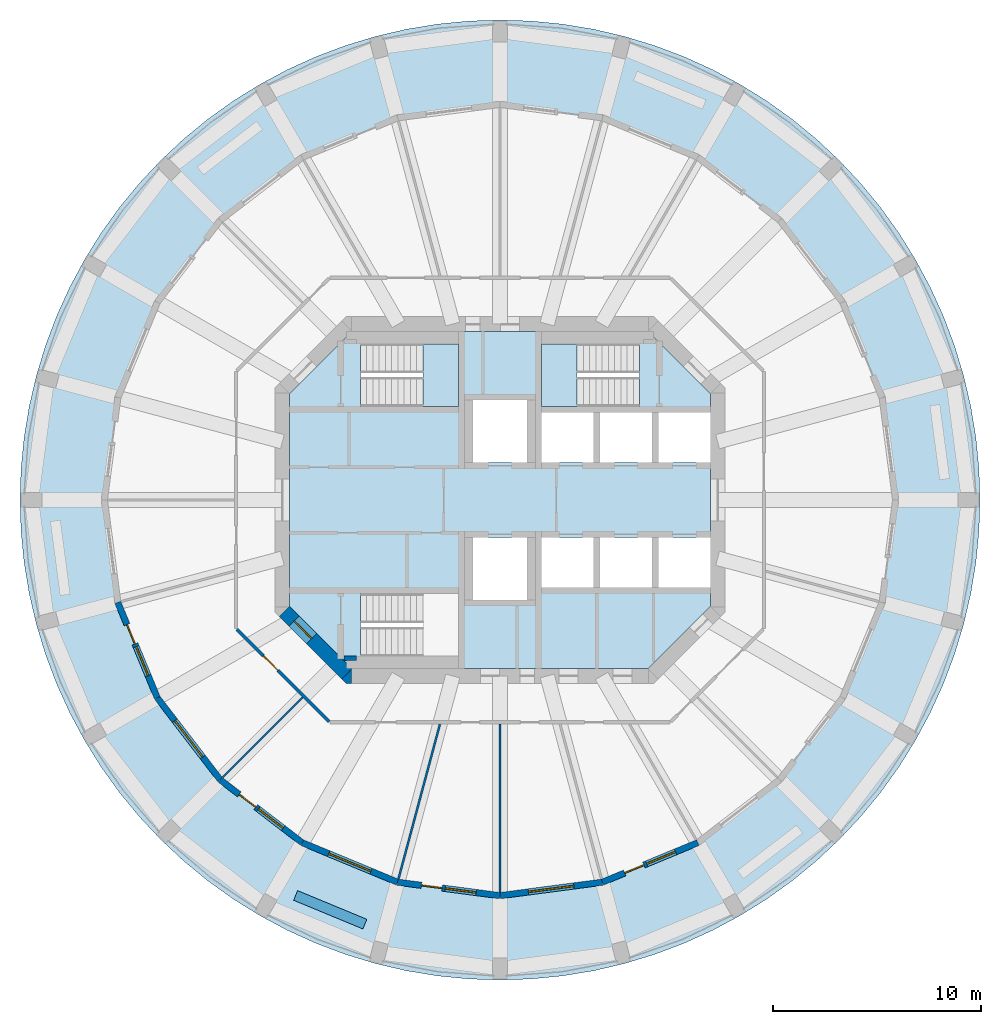
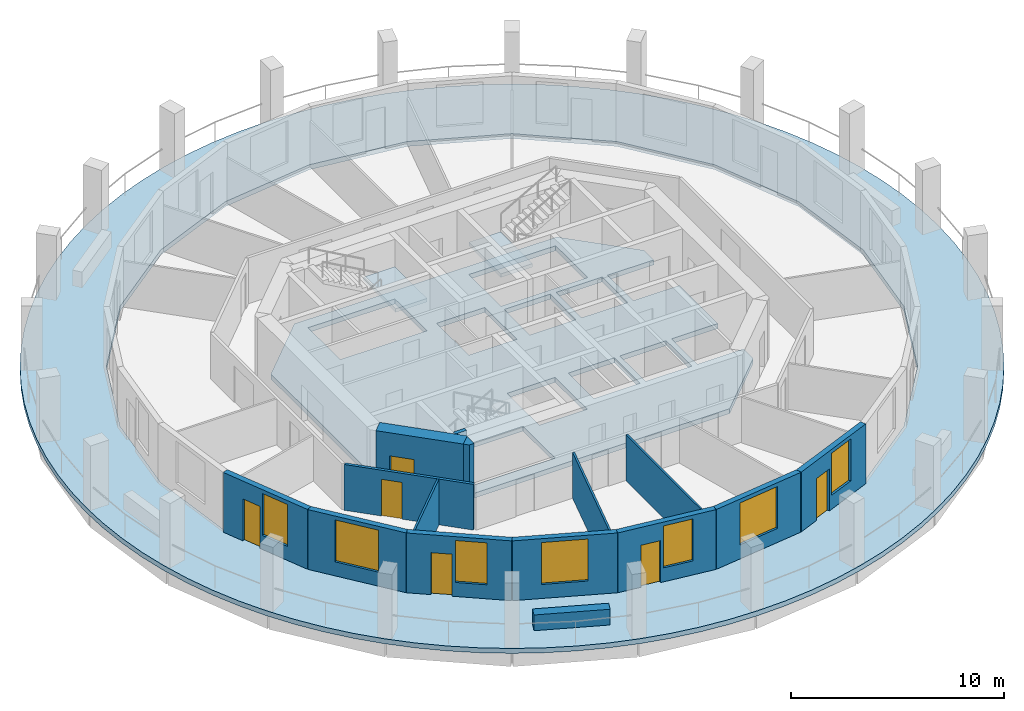
# One storey, part 2 of 9: 15 walls, 7 windows, 6 doors, 4 slabs, 13 openings, 2 elements without a shape of their own.
"""IFC4 building model written with IfcOpenShell, lengths in metres."""

from ifc_helpers import new_model, si_unit, direction, frame, frame_2d, origin, place, context, subcontext, project, spatial, polyline, rectangle, outline, extrude, material, layer, layer_set, type_object, element, fill, aggregate, save


model = new_model("IFC4")

# Units and contexts
model_context = context("Model", 3, precision=1e-05, world=origin(), true_north=direction((0.0, 1.0)))
body_context = subcontext(model_context, "Body", "Model", "MODEL_VIEW")
ifc_project = project(units=[si_unit("LENGTHUNIT", "METRE"), si_unit("AREAUNIT", "SQUARE_METRE"), si_unit("VOLUMEUNIT", "CUBIC_METRE"), si_unit("PLANEANGLEUNIT", "RADIAN"), si_unit("MASSUNIT", "GRAM", prefix="KILO")], contexts=[model_context])

# Site, building, storey
site_placement = place(None, origin())
site = spatial("IfcSite", under=ifc_project, at=site_placement, CompositionType="ELEMENT")
building_placement = place(site_placement, origin())
building = spatial("IfcBuilding", under=site, at=building_placement, Name="Torre Triforio", CompositionType="ELEMENT")
storey_placement = place(building_placement, frame((0.0, 0.0, 180.10009765625)))
storey = spatial("IfcBuildingStorey", under=building, at=storey_placement, Name="L41", CompositionType="ELEMENT", Elevation=180.10009765625)

# Slabs
ifc_material_1 = material(Name="Concrete C50", Category="concrete")
ifc_layer_1 = layer(ifc_material_1, 0.280029296875)
ifc_layer_set_1 = layer_set([ifc_layer_1], Name="Concrete C50")
slab_type_1 = type_object("IfcSlabType", Name="Core floor slab 280 mm C50 REI 120", PredefinedType="FLOOR", material=ifc_layer_set_1)
slab_1_placement = place(storey_placement, frame((0.0, 0.0, -0.280029296875)))
element("IfcSlab", 1, at=slab_1_placement, inside=storey, type_object=slab_type_1, Name="Core floor slab", PredefinedType="FLOOR", context=body_context, shape_type="SweptSolid", body=[
    extrude(outline(polyline([(10.10009765625, -5.10009765625), (7.10009765625, -8.10009765625), (-7.10009765625, -8.10009765625), (-10.10009765625, -5.10009765625), (-10.10009765625, 5.10009765625), (-7.10009765625, 8.10009765625), (7.10009765625, 8.10009765625), (10.10009765625, 5.10009765625), (10.10009765625, 4.199951171875), (7.60009765625, 4.199951171875), (7.60009765625, 1.800048828125), (10.10009765625, 1.800048828125), (10.10009765625, -1.800048828125), (7.60009765625, -1.800048828125), (7.60009765625, -4.199951171875), (10.10009765625, -4.199951171875), (10.10009765625, -5.10009765625)]), holes=[polyline([(-6.696044921875, -4.5), (-6.696044921875, -7.5), (-2.0, -7.5), (-2.0, -4.5), (-6.696044921875, -4.5)]), polyline([(-1.300048828125, -1.800048828125), (-1.300048828125, -4.800048828125), (1.300048828125, -4.800048828125), (1.300048828125, -1.800048828125), (-1.300048828125, -1.800048828125)]), polyline([(2.0, -1.800048828125), (2.0, -4.199951171875), (4.5, -4.199951171875), (4.5, -1.800048828125), (2.0, -1.800048828125)]), polyline([(4.5, 4.199951171875), (2.0, 4.199951171875), (2.0, 1.800048828125), (4.5, 1.800048828125), (4.5, 4.199951171875)]), polyline([(1.300048828125, 4.800048828125), (-1.300048828125, 4.800048828125), (-1.300048828125, 1.800048828125), (1.300048828125, 1.800048828125), (1.300048828125, 4.800048828125)]), polyline([(-6.696044921875, 7.5), (-6.696044921875, 4.5), (-2.0, 4.5), (-2.0, 7.5), (-6.696044921875, 7.5)]), polyline([(7.300048828125, -1.800048828125), (4.800048828125, -1.800048828125), (4.800048828125, -4.199951171875), (7.300048828125, -4.199951171875), (7.300048828125, -1.800048828125)]), polyline([(4.800048828125, 4.199951171875), (4.800048828125, 1.800048828125), (7.300048828125, 1.800048828125), (7.300048828125, 4.199951171875), (4.800048828125, 4.199951171875)]), polyline([(6.696044921875, 7.5), (2.0, 7.5), (2.0, 4.5), (6.696044921875, 4.5), (6.696044921875, 7.5)])]), origin(), (0.0, 0.0, 1.0), 0.280029296875),
])
ifc_material_2 = material(Name="Concrete C40", Category="concrete")
ifc_layer_2 = layer(ifc_material_2, 0.280029296875)
ifc_layer_set_2 = layer_set([ifc_layer_2], Name="Concrete C40")
slab_type_2 = type_object("IfcSlabType", Name="Loggia slab 280 C40", PredefinedType="FLOOR", material=ifc_layer_set_2)
slab_2_placement = place(storey_placement, frame((0.0, 0.0, -0.280029296875)))
element("IfcSlab", 2, at=slab_2_placement, inside=storey, type_object=slab_type_2, Name="SL.L41.LG", PredefinedType="FLOOR", context=body_context, shape_type="SweptSolid", body=[
    extrude(outline(polyline([(23.000732421875, -1.507568359375), (23.050048828125, 0.0), (23.000732421875, 1.507568359375), (22.852783203125, 3.008544921875), (22.607177734375, 4.496826171875), (22.2646484375, 5.9658203125), (21.82666015625, 7.4091796875), (21.29541015625, 8.82080078125), (20.6728515625, 10.19482421875), (19.9619140625, 11.52490234375), (19.165283203125, 12.805908203125), (18.286865234375, 14.031982421875), (17.329833984375, 15.197998046875), (16.298828125, 16.298828125), (15.197998046875, 17.329833984375), (14.031982421875, 18.286865234375), (12.805908203125, 19.165283203125), (11.52490234375, 19.9619140625), (10.19482421875, 20.6728515625), (8.82080078125, 21.29541015625), (7.4091796875, 21.82666015625), (5.9658203125, 22.2646484375), (4.496826171875, 22.607177734375), (3.008544921875, 22.852783203125), (1.507568359375, 23.000732421875), (0.0, 23.050048828125), (-1.507568359375, 23.000732421875), (-3.008544921875, 22.852783203125), (-4.496826171875, 22.607177734375), (-5.9658203125, 22.2646484375), (-7.4091796875, 21.82666015625), (-8.82080078125, 21.29541015625), (-10.19482421875, 20.6728515625), (-11.52490234375, 19.9619140625), (-12.805908203125, 19.165283203125), (-14.031982421875, 18.286865234375), (-15.197998046875, 17.329833984375), (-16.298828125, 16.298828125), (-17.329833984375, 15.197998046875), (-18.286865234375, 14.031982421875), (-19.165283203125, 12.805908203125), (-19.9619140625, 11.52490234375), (-20.6728515625, 10.19482421875), (-21.29541015625, 8.82080078125), (-21.82666015625, 7.4091796875), (-22.2646484375, 5.9658203125), (-22.607177734375, 4.496826171875), (-22.852783203125, 3.008544921875), (-23.000732421875, 1.507568359375), (-23.050048828125, 0.0), (-23.000732421875, -1.507568359375), (-22.852783203125, -3.008544921875), (-22.607177734375, -4.496826171875), (-22.2646484375, -5.9658203125), (-21.82666015625, -7.4091796875), (-21.29541015625, -8.82080078125), (-20.6728515625, -10.19482421875), (-19.9619140625, -11.52490234375), (-19.165283203125, -12.805908203125), (-18.286865234375, -14.031982421875), (-17.329833984375, -15.197998046875), (-16.298828125, -16.298828125), (-15.197998046875, -17.329833984375), (-14.031982421875, -18.286865234375), (-12.805908203125, -19.165283203125), (-11.52490234375, -19.9619140625), (-10.19482421875, -20.6728515625), (-8.82080078125, -21.29541015625), (-7.4091796875, -21.82666015625), (-5.9658203125, -22.2646484375), (-4.496826171875, -22.607177734375), (-3.008544921875, -22.852783203125), (-1.507568359375, -23.000732421875), (0.0, -23.050048828125), (1.507568359375, -23.000732421875), (3.008544921875, -22.852783203125), (4.496826171875, -22.607177734375), (5.9658203125, -22.2646484375), (7.4091796875, -21.82666015625), (8.82080078125, -21.29541015625), (10.19482421875, -20.6728515625), (11.52490234375, -19.9619140625), (12.805908203125, -19.165283203125), (14.031982421875, -18.286865234375), (15.197998046875, -17.329833984375), (16.298828125, -16.298828125), (17.329833984375, -15.197998046875), (18.286865234375, -14.031982421875), (19.165283203125, -12.805908203125), (19.9619140625, -11.52490234375), (20.6728515625, -10.19482421875), (21.29541015625, -8.82080078125), (21.82666015625, -7.4091796875), (22.2646484375, -5.9658203125), (22.607177734375, -4.496826171875), (22.852783203125, -3.008544921875), (23.000732421875, -1.507568359375)]), holes=[polyline([(18.3525390625, 4.91748046875), (19.0, 0.0), (18.3525390625, -4.91748046875), (16.45458984375, -9.5), (13.43505859375, -13.43505859375), (9.5, -16.45458984375), (4.91748046875, -18.3525390625), (0.0, -19.0), (-4.91748046875, -18.3525390625), (-9.5, -16.45458984375), (-13.43505859375, -13.43505859375), (-16.45458984375, -9.5), (-18.3525390625, -4.91748046875), (-19.0, 0.0), (-18.3525390625, 4.91748046875), (-16.45458984375, 9.5), (-13.43505859375, 13.43505859375), (-9.5, 16.45458984375), (-4.91748046875, 18.3525390625), (0.0, 19.0), (4.91748046875, 18.3525390625), (9.5, 16.45458984375), (13.43505859375, 13.43505859375), (16.45458984375, 9.5), (18.3525390625, 4.91748046875)])]), origin(), (0.0, 0.0, 1.0), 0.280029296875),
])

# Stair, slab
stair_type = type_object("IfcStairType", Name="STAIR HALF-TURN", PredefinedType="HALF_TURN_STAIR", material=ifc_material_2)
stair_1_placement = place(storey_placement, origin())
stair_1 = element("IfcStair", 3, at=stair_1_placement, inside=storey, type_object=stair_type, Name="Exit stair 1", PredefinedType="HALF_TURN_STAIR")
ifc_layer_3 = layer(ifc_material_2, 0.199951171875)
ifc_layer_set_3 = layer_set([ifc_layer_3], Name="Concrete C40")
slab_type_3 = type_object("IfcSlabType", Name="STAIR LANDING 200", PredefinedType="LANDING", material=ifc_layer_set_3)
slab_3_placement = place(storey_placement, frame((0.0, 0.0, 1.64990234375)))
slab_3 = element("IfcSlab", 4, at=slab_3_placement, type_object=slab_type_3, Name="ST1 landing 1", PredefinedType="LANDING", context=body_context, shape_type="SweptSolid", body=[
    extrude(outline(polyline([(-2.0, 4.5), (-2.0, 7.5), (-3.699951171875, 7.5), (-3.699951171875, 4.5), (-2.0, 4.5)])), origin(), (0.0, 0.0, 1.0), 0.199951171875),
])
aggregate(stair_1, [slab_3])

stair_2_placement = place(storey_placement, origin())
stair_2 = element("IfcStair", 5, at=stair_2_placement, inside=storey, type_object=stair_type, Name="Exit stair 2", PredefinedType="HALF_TURN_STAIR")
slab_4_placement = place(storey_placement, frame((0.0, 0.0, 1.64990234375)))
slab_4 = element("IfcSlab", 6, at=slab_4_placement, type_object=slab_type_3, Name="ST2 landing 1", PredefinedType="LANDING", context=body_context, shape_type="SweptSolid", body=[
    extrude(outline(polyline([(3.699951171875, 4.5), (3.699951171875, 7.5), (2.0, 7.5), (2.0, 4.5), (3.699951171875, 4.5)])), origin(), (0.0, 0.0, 1.0), 0.199951171875),
])
aggregate(stair_2, [slab_4])

# Wall, opening, door
ifc_layer_4 = layer(ifc_material_1, 0.699951171875)
ifc_layer_set_4 = layer_set([ifc_layer_4], Name="Concrete C50")
wall_type_1 = type_object("IfcWallType", Name="Core wall 700 mm C50 EI 120", PredefinedType="SHEAR", material=ifc_layer_set_4)
wall_1_placement = place(storey_placement, frame((-7.347412109375, -8.347412109375, -0.280029296875), z_axis=(0.0, 0.0, 1.0), x_axis=(-0.707106781187, 0.707106781187, 0.0)))
wall_1 = element("IfcWall", 7, at=wall_1_placement, inside=storey, type_object=wall_type_1, Name="Core wall", PredefinedType="SHEAR", context=body_context, shape_type="SweptSolid", body=[
    extrude(rectangle(XDim=4.24267578125, YDim=0.699951171875, at=frame_2d((2.121337890625, 0.0))), origin(), (0.0, 0.0, 1.0), 3.699951171875),
])
opening_1_placement = place(wall_1_placement, frame((2.392578125, 0.0, 0.280029296875)))
opening_1 = element("IfcOpeningElement", 8, at=opening_1_placement, cuts=wall_1, Name="Opening ST3-EXIT", PredefinedType="OPENING", context=body_context, shape_type="SweptSolid", body=[
    extrude(rectangle(XDim=1.199951171875, YDim=2.10009765625, at=frame_2d((0.60009765625, 1.050048828125))), frame((0.0, 0.35986328125, 0.0), z_axis=(0.0, -1.0, 0.0), x_axis=(1.0, 0.0, 0.0)), (0.0, 0.0, 1.0), 0.719970703125),
])
ifc_material_3 = material(Name="Hollow metal fire door leaf")
door_type_1 = type_object("IfcDoorType", Name="Stair lobby door 1200 x 2100 EI 60", OperationType="NOTDEFINED", PredefinedType="DOOR", material=ifc_material_3)
door_1_placement = place(opening_1_placement, origin())
door_1 = element("IfcDoor", 9, at=door_1_placement, inside=storey, type_object=door_type_1, Name="Core door ST3-EXIT", OperationType="SINGLE_SWING_RIGHT", OverallHeight=2.10009765625, OverallWidth=1.199951171875, PredefinedType="DOOR", context=body_context, shape_type="SweptSolid", body=[
    extrude(rectangle(XDim=1.199951171875, YDim=2.10009765625, at=frame_2d((0.60009765625, 1.050048828125))), frame((0.0, 0.02490234375, 0.0), z_axis=(0.0, -1.0, 0.0), x_axis=(1.0, 0.0, 0.0)), (0.0, 0.0, 1.0), 0.050048828125),
])
fill(opening_1, door_1)

# Wall
wall_2_placement = place(storey_placement, frame((0.0, 0.0, -0.280029296875)))
element("IfcWall", 10, at=wall_2_placement, inside=storey, type_object=wall_type_1, Name="Core wall", PredefinedType="SHEAR", context=body_context, shape_type="SweptSolid", body=[
    extrude(outline(polyline([(-7.389892578125, -8.800048828125), (-7.594970703125, -8.594970703125), (-7.594970703125, -8.594970703125), (-7.594970703125, -8.594970703125), (-7.1298828125, -8.1298828125), (-7.1298828125, -8.800048828125), (-7.1298828125, -8.800048828125), (-7.389892578125, -8.800048828125)])), origin(), (0.0, 0.0, 1.0), 3.699951171875),
])

# Wall, opening, door
ifc_material_4 = material(Name="Plasterboard on metal studs")
ifc_layer_5 = layer(ifc_material_4, 0.14990234375)
ifc_layer_set_5 = layer_set([ifc_layer_5], Name="Plasterboard on metal studs")
wall_type_2 = type_object("IfcWallType", Name="Corridor and tenancy wall 150 mm EI 60", PredefinedType="PARTITIONING", material=ifc_layer_set_5)
wall_3_placement = place(storey_placement, frame((-8.20361328125, -10.637939453125, 0.0), z_axis=(0.0, 0.0, 1.0), x_axis=(-0.707106781187, 0.707106781187, 0.0)))
wall_3 = element("IfcWall", 11, at=wall_3_placement, inside=storey, type_object=wall_type_2, Name="Partition 3", PredefinedType="PARTITIONING", context=body_context, shape_type="SweptSolid", body=[
    extrude(rectangle(XDim=6.27099609375, YDim=0.14990234375, at=frame_2d((3.135498046875, 0.0))), origin(), (0.0, 0.0, 1.0), 2.619873046875),
])
opening_2_placement = place(wall_3_placement, frame((3.470947265625, 0.0, 0.0)))
opening_2 = element("IfcOpeningElement", 12, at=opening_2_placement, cuts=wall_3, Name="Opening O3-03", PredefinedType="OPENING", context=body_context, shape_type="SweptSolid", body=[
    extrude(rectangle(XDim=1.0, YDim=2.10009765625, at=frame_2d((0.5, 1.050048828125))), frame((0.0, 0.0849609375, 0.0), z_axis=(0.0, -1.0, 0.0), x_axis=(1.0, 0.0, 0.0)), (0.0, 0.0, 1.0), 0.169921875),
])
ifc_material_5 = material(Name="Timber", Category="wood")
door_type_2 = type_object("IfcDoorType", Name="Door 1000 x 2100 single leaf EI 30", OperationType="NOTDEFINED", PredefinedType="DOOR", material=ifc_material_5)
door_2_placement = place(opening_2_placement, origin())
door_2 = element("IfcDoor", 13, at=door_2_placement, inside=storey, type_object=door_type_2, Name="Door O3-03", OperationType="SINGLE_SWING_RIGHT", OverallHeight=2.10009765625, OverallWidth=1.0, PredefinedType="DOOR", context=body_context, shape_type="SweptSolid", body=[
    extrude(rectangle(XDim=1.0, YDim=2.10009765625, at=frame_2d((0.5, 1.050048828125))), frame((0.0, 0.02490234375, 0.0), z_axis=(0.0, -1.0, 0.0), x_axis=(1.0, 0.0, 0.0)), (0.0, 0.0, 1.0), 0.050048828125),
])
fill(opening_2, door_2)

# Walls
ifc_layer_6 = layer(ifc_material_4, 0.10009765625)
ifc_layer_set_6 = layer_set([ifc_layer_6], Name="Plasterboard on metal studs")
wall_type_3 = type_object("IfcWallType", Name="Partition 100 mm board on metal studs", PredefinedType="PARTITIONING", material=ifc_layer_set_6)
wall_4_placement = place(storey_placement, frame((-9.473876953125, -9.473876953125, 0.0), z_axis=(0.0, 0.0, 1.0), x_axis=(-0.707106781187, -0.707106781187, 0.0)))
element("IfcWall", 14, at=wall_4_placement, inside=storey, type_object=wall_type_3, Name="Partition 17", PredefinedType="PARTITIONING", context=body_context, shape_type="SweptSolid", body=[
    extrude(rectangle(XDim=5.438720703125, YDim=0.10009765625, at=frame_2d((2.71923828125, 0.0))), origin(), (0.0, 0.0, 1.0), 2.619873046875),
])
wall_5_placement = place(storey_placement, frame((-2.88427734375, -10.764404296875, 0.0), z_axis=(0.0, 0.0, 1.0), x_axis=(-0.25881804804, -0.965926093451, 0.0)))
element("IfcWall", 15, at=wall_5_placement, inside=storey, type_object=wall_type_3, Name="Partition 18", PredefinedType="PARTITIONING", context=body_context, shape_type="SweptSolid", body=[
    extrude(rectangle(XDim=7.692626953125, YDim=0.10009765625, at=frame_2d((3.84619140625, 0.0))), origin(), (0.0, 0.0, 1.0), 2.619873046875),
])
wall_6_placement = place(storey_placement, frame((0.0, -10.75, 0.0), z_axis=(0.0, 0.0, 1.0), x_axis=(0.0, -1.0, 0.0)))
element("IfcWall", 16, at=wall_6_placement, inside=storey, type_object=wall_type_3, Name="Partition 19", PredefinedType="PARTITIONING", context=body_context, shape_type="SweptSolid", body=[
    extrude(rectangle(XDim=8.086669921875, YDim=0.10009765625, at=frame_2d((4.04345703125, 0.0))), origin(), (0.0, 0.0, 1.0), 2.619873046875),
])
ifc_material_6 = material(Name="Limestone cladding", Category="masonry")
ifc_layer_7 = layer(ifc_material_6, 0.10009765625)
ifc_layer_8 = layer(ifc_material_2, 0.39990234375)
ifc_layer_set_7 = layer_set([ifc_layer_7, ifc_layer_8], Name="Limestone cladding / Concrete C40")
wall_type_4 = type_object("IfcWallType", Name="Planter wall 500", PredefinedType="PARAPET", material=ifc_layer_set_7)
wall_7_placement = place(storey_placement, frame((-9.814208984375, -18.98974609375, 0.0), z_axis=(0.0, 0.0, 1.0), x_axis=(0.923875488976, -0.382693194178, 0.0)))
element("IfcWall", 17, at=wall_7_placement, inside=storey, type_object=wall_type_4, Name="Planter L41 bay 17", PredefinedType="PARAPET", context=body_context, shape_type="SweptSolid", body=[
    extrude(rectangle(XDim=3.599853515625, YDim=0.5, at=frame_2d((1.7998046875, 0.0))), origin(), (0.0, 0.0, 1.0), 0.89990234375),
])
ifc_layer_9 = layer(ifc_material_1, 0.199951171875)
ifc_layer_set_8 = layer_set([ifc_layer_9], Name="Concrete C50")
wall_type_5 = type_object("IfcWallType", Name="Stair wall 200 mm C50 EI 120", PredefinedType="SHEAR", material=ifc_layer_set_8)
wall_8_placement = place(storey_placement, frame((-7.5, -7.60009765625, 0.0), z_axis=(0.0, 0.0, 1.0), x_axis=(1.0, 0.0, 0.0)))
element("IfcWall", 18, at=wall_8_placement, inside=storey, type_object=wall_type_5, Name="Stair wall", PredefinedType="SHEAR", context=body_context, shape_type="SweptSolid", body=[
    extrude(rectangle(XDim=0.60009765625, YDim=0.199951171875, at=frame_2d((0.300048828125, 0.0))), origin(), (0.0, 0.0, 1.0), 3.419921875),
])

# Wall, openings, door, window
ifc_layer_10 = layer(ifc_material_6, 0.10009765625)
ifc_layer_11 = layer(ifc_material_2, 0.199951171875)
ifc_layer_set_9 = layer_set([ifc_layer_10, ifc_layer_11], Name="Limestone cladding / Concrete C40")
wall_type_6 = type_object("IfcWallType", Name="Stone-faced composite wall 300", PredefinedType="STANDARD", material=ifc_layer_set_9)
wall_9_placement = place(storey_placement, frame((-18.3525390625, -4.91748046875, 0.0), z_axis=(0.0, 0.0, 1.0), x_axis=(0.382650301762, -0.923893254961, 0.0)))
wall_9 = element("IfcWall", 19, at=wall_9_placement, inside=storey, type_object=wall_type_6, Name="External wall L41 bay 14", PredefinedType="STANDARD", context=body_context, shape_type="SweptSolid", body=[
    extrude(rectangle(XDim=4.9599609375, YDim=0.300048828125, at=frame_2d((2.47998046875, 0.0))), origin(), (0.0, 0.0, 1.0), 3.419921875),
])
opening_3_placement = place(wall_9_placement, frame((1.155029296875, 0.0, 0.0)))
opening_3 = element("IfcOpeningElement", 20, at=opening_3_placement, cuts=wall_9, Name="Opening O3-D14", PredefinedType="OPENING", context=body_context, shape_type="SweptSolid", body=[
    extrude(rectangle(XDim=1.0, YDim=2.39990234375, at=frame_2d((0.5, 1.199951171875))), frame((0.0, 0.159912109375, 0.0), z_axis=(0.0, -1.0, 0.0), x_axis=(1.0, 0.0, 0.0)), (0.0, 0.0, 1.0), 0.320068359375),
])
opening_4_placement = place(wall_9_placement, frame((2.304931640625, 0.0, 0.800048828125)))
opening_4 = element("IfcOpeningElement", 21, at=opening_4_placement, cuts=wall_9, Name="Opening O3-W14A", PredefinedType="OPENING", context=body_context, shape_type="SweptSolid", body=[
    extrude(rectangle(XDim=1.5, YDim=2.39990234375, at=frame_2d((0.75, 1.199951171875))), frame((0.0, 0.159912109375, 0.0), z_axis=(0.0, -1.0, 0.0), x_axis=(1.0, 0.0, 0.0)), (0.0, 0.0, 1.0), 0.320068359375),
])
ifc_material_7 = material(Name="Aluminium frame with clear double glazing", Category="aluminium")
door_type_3 = type_object("IfcDoorType", Name="Loggia door 1000 x 2400", OperationType="NOTDEFINED", PredefinedType="DOOR", material=ifc_material_7)
door_3_placement = place(opening_3_placement, origin())
door_3 = element("IfcDoor", 22, at=door_3_placement, inside=storey, type_object=door_type_3, Name="Loggia door L41 bay 14", OperationType="SINGLE_SWING_LEFT", OverallHeight=2.39990234375, OverallWidth=1.0, PredefinedType="DOOR", context=body_context, shape_type="SweptSolid", body=[
    extrude(rectangle(XDim=1.0, YDim=2.39990234375, at=frame_2d((0.5, 1.199951171875))), frame((0.0, 0.02490234375, 0.0), z_axis=(0.0, -1.0, 0.0), x_axis=(1.0, 0.0, 0.0)), (0.0, 0.0, 1.0), 0.050048828125),
])
fill(opening_3, door_3)
window_type_1 = type_object("IfcWindowType", Name="Side window 1500 x 2400", PartitioningType="SINGLE_PANEL", PredefinedType="WINDOW", material=ifc_material_7)
window_1_placement = place(opening_4_placement, origin())
window_1 = element("IfcWindow", 23, at=window_1_placement, inside=storey, type_object=window_type_1, Name="Side window EWN14 L41 bay 14", OverallHeight=2.39990234375, OverallWidth=1.5, PartitioningType="SINGLE_PANEL", PredefinedType="WINDOW", context=body_context, shape_type="SweptSolid", body=[
    extrude(rectangle(XDim=1.5, YDim=2.39990234375, at=frame_2d((0.75, 1.199951171875))), frame((0.0, 0.030029296875, 0.0), z_axis=(0.0, -1.0, 0.0), x_axis=(1.0, 0.0, 0.0)), (0.0, 0.0, 1.0), 0.06005859375),
])
fill(opening_4, window_1)

# Wall, opening, window
wall_10_placement = place(storey_placement, frame((-16.45458984375, -9.5, 0.0), z_axis=(0.0, 0.0, 1.0), x_axis=(0.608768356425, -0.793348024649, 0.0)))
wall_10 = element("IfcWall", 24, at=wall_10_placement, inside=storey, type_object=wall_type_6, Name="External wall L41 bay 15", PredefinedType="STANDARD", context=body_context, shape_type="SweptSolid", body=[
    extrude(rectangle(XDim=4.9599609375, YDim=0.300048828125, at=frame_2d((2.47998046875, 0.0))), origin(), (0.0, 0.0, 1.0), 3.419921875),
])
opening_5_placement = place(wall_10_placement, frame((1.3798828125, 0.0, 0.800048828125)))
opening_5 = element("IfcOpeningElement", 25, at=opening_5_placement, cuts=wall_10, Name="Opening O3-W15", PredefinedType="OPENING", context=body_context, shape_type="SweptSolid", body=[
    extrude(rectangle(XDim=2.199951171875, YDim=2.39990234375, at=frame_2d((1.10009765625, 1.199951171875))), frame((0.0, 0.159912109375, 0.0), z_axis=(0.0, -1.0, 0.0), x_axis=(1.0, 0.0, 0.0)), (0.0, 0.0, 1.0), 0.320068359375),
])
window_type_2 = type_object("IfcWindowType", Name="Punched window 2200 x 2400", PartitioningType="DOUBLE_PANEL_VERTICAL", PredefinedType="WINDOW", material=ifc_material_7)
window_2_placement = place(opening_5_placement, origin())
window_2 = element("IfcWindow", 26, at=window_2_placement, inside=storey, type_object=window_type_2, Name="Window EWN5 L41 bay 15", OverallHeight=2.39990234375, OverallWidth=2.199951171875, PartitioningType="SINGLE_PANEL", PredefinedType="WINDOW", context=body_context, shape_type="SweptSolid", body=[
    extrude(rectangle(XDim=2.199951171875, YDim=2.39990234375, at=frame_2d((1.10009765625, 1.199951171875))), frame((0.0, 0.030029296875, 0.0), z_axis=(0.0, -1.0, 0.0), x_axis=(1.0, 0.0, 0.0)), (0.0, 0.0, 1.0), 0.06005859375),
])
fill(opening_5, window_2)

# Wall, openings, door, window
wall_11_placement = place(storey_placement, frame((-13.43505859375, -13.43505859375, 0.0), z_axis=(0.0, 0.0, 1.0), x_axis=(0.793348024649, -0.608768356425, 0.0)))
wall_11 = element("IfcWall", 27, at=wall_11_placement, inside=storey, type_object=wall_type_6, Name="External wall L41 bay 16", PredefinedType="STANDARD", context=body_context, shape_type="SweptSolid", body=[
    extrude(rectangle(XDim=4.9599609375, YDim=0.300048828125, at=frame_2d((2.47998046875, 0.0))), origin(), (0.0, 0.0, 1.0), 3.419921875),
])
opening_6_placement = place(wall_11_placement, frame((1.155029296875, 0.0, 0.0)))
opening_6 = element("IfcOpeningElement", 28, at=opening_6_placement, cuts=wall_11, Name="Opening O3-D16", PredefinedType="OPENING", context=body_context, shape_type="SweptSolid", body=[
    extrude(rectangle(XDim=1.0, YDim=2.39990234375, at=frame_2d((0.5, 1.199951171875))), frame((0.0, 0.159912109375, 0.0), z_axis=(0.0, -1.0, 0.0), x_axis=(1.0, 0.0, 0.0)), (0.0, 0.0, 1.0), 0.320068359375),
])
opening_7_placement = place(wall_11_placement, frame((2.304931640625, 0.0, 0.800048828125)))
opening_7 = element("IfcOpeningElement", 29, at=opening_7_placement, cuts=wall_11, Name="Opening O3-W16A", PredefinedType="OPENING", context=body_context, shape_type="SweptSolid", body=[
    extrude(rectangle(XDim=1.5, YDim=2.39990234375, at=frame_2d((0.75, 1.199951171875))), frame((0.0, 0.159912109375, 0.0), z_axis=(0.0, -1.0, 0.0), x_axis=(1.0, 0.0, 0.0)), (0.0, 0.0, 1.0), 0.320068359375),
])
door_4_placement = place(opening_6_placement, origin())
door_4 = element("IfcDoor", 30, at=door_4_placement, inside=storey, type_object=door_type_3, Name="Loggia door L41 bay 16", OperationType="SINGLE_SWING_LEFT", OverallHeight=2.39990234375, OverallWidth=1.0, PredefinedType="DOOR", context=body_context, shape_type="SweptSolid", body=[
    extrude(rectangle(XDim=1.0, YDim=2.39990234375, at=frame_2d((0.5, 1.199951171875))), frame((0.0, 0.02490234375, 0.0), z_axis=(0.0, -1.0, 0.0), x_axis=(1.0, 0.0, 0.0)), (0.0, 0.0, 1.0), 0.050048828125),
])
fill(opening_6, door_4)
window_3_placement = place(opening_7_placement, origin())
window_3 = element("IfcWindow", 31, at=window_3_placement, inside=storey, type_object=window_type_1, Name="Side window EWN14 L41 bay 16", OverallHeight=2.39990234375, OverallWidth=1.5, PartitioningType="SINGLE_PANEL", PredefinedType="WINDOW", context=body_context, shape_type="SweptSolid", body=[
    extrude(rectangle(XDim=1.5, YDim=2.39990234375, at=frame_2d((0.75, 1.199951171875))), frame((0.0, 0.030029296875, 0.0), z_axis=(0.0, -1.0, 0.0), x_axis=(1.0, 0.0, 0.0)), (0.0, 0.0, 1.0), 0.06005859375),
])
fill(opening_7, window_3)

# Wall, opening, window
wall_12_placement = place(storey_placement, frame((-9.5, -16.45458984375, 0.0), z_axis=(0.0, 0.0, 1.0), x_axis=(0.923893254961, -0.382650301762, 0.0)))
wall_12 = element("IfcWall", 32, at=wall_12_placement, inside=storey, type_object=wall_type_6, Name="External wall L41 bay 17", PredefinedType="STANDARD", context=body_context, shape_type="SweptSolid", body=[
    extrude(rectangle(XDim=4.9599609375, YDim=0.300048828125, at=frame_2d((2.47998046875, 0.0))), origin(), (0.0, 0.0, 1.0), 3.419921875),
])
opening_8_placement = place(wall_12_placement, frame((1.3798828125, 0.0, 0.800048828125)))
opening_8 = element("IfcOpeningElement", 33, at=opening_8_placement, cuts=wall_12, Name="Opening O3-W17", PredefinedType="OPENING", context=body_context, shape_type="SweptSolid", body=[
    extrude(rectangle(XDim=2.199951171875, YDim=2.39990234375, at=frame_2d((1.10009765625, 1.199951171875))), frame((0.0, 0.159912109375, 0.0), z_axis=(0.0, -1.0, 0.0), x_axis=(1.0, 0.0, 0.0)), (0.0, 0.0, 1.0), 0.320068359375),
])
window_4_placement = place(opening_8_placement, origin())
window_4 = element("IfcWindow", 34, at=window_4_placement, inside=storey, type_object=window_type_2, Name="Window EWN5 L41 bay 17", OverallHeight=2.39990234375, OverallWidth=2.199951171875, PartitioningType="SINGLE_PANEL", PredefinedType="WINDOW", context=body_context, shape_type="SweptSolid", body=[
    extrude(rectangle(XDim=2.199951171875, YDim=2.39990234375, at=frame_2d((1.10009765625, 1.199951171875))), frame((0.0, 0.030029296875, 0.0), z_axis=(0.0, -1.0, 0.0), x_axis=(1.0, 0.0, 0.0)), (0.0, 0.0, 1.0), 0.06005859375),
])
fill(opening_8, window_4)

# Wall, openings, door, window
wall_13_placement = place(storey_placement, frame((-4.91748046875, -18.3525390625, 0.0), z_axis=(0.0, 0.0, 1.0), x_axis=(0.991443234469, -0.130538549191, 0.0)))
wall_13 = element("IfcWall", 35, at=wall_13_placement, inside=storey, type_object=wall_type_6, Name="External wall L41 bay 18", PredefinedType="STANDARD", context=body_context, shape_type="SweptSolid", body=[
    extrude(rectangle(XDim=4.9599609375, YDim=0.300048828125, at=frame_2d((2.47998046875, 0.0))), origin(), (0.0, 0.0, 1.0), 3.419921875),
])
opening_9_placement = place(wall_13_placement, frame((1.155029296875, 0.0, 0.0)))
opening_9 = element("IfcOpeningElement", 36, at=opening_9_placement, cuts=wall_13, Name="Opening O3-D18", PredefinedType="OPENING", context=body_context, shape_type="SweptSolid", body=[
    extrude(rectangle(XDim=1.0, YDim=2.39990234375, at=frame_2d((0.5, 1.199951171875))), frame((0.0, 0.159912109375, 0.0), z_axis=(0.0, -1.0, 0.0), x_axis=(1.0, 0.0, 0.0)), (0.0, 0.0, 1.0), 0.320068359375),
])
opening_10_placement = place(wall_13_placement, frame((2.304931640625, 0.0, 0.800048828125)))
opening_10 = element("IfcOpeningElement", 37, at=opening_10_placement, cuts=wall_13, Name="Opening O3-W18A", PredefinedType="OPENING", context=body_context, shape_type="SweptSolid", body=[
    extrude(rectangle(XDim=1.5, YDim=2.39990234375, at=frame_2d((0.75, 1.199951171875))), frame((0.0, 0.159912109375, 0.0), z_axis=(0.0, -1.0, 0.0), x_axis=(1.0, 0.0, 0.0)), (0.0, 0.0, 1.0), 0.320068359375),
])
door_5_placement = place(opening_9_placement, origin())
door_5 = element("IfcDoor", 38, at=door_5_placement, inside=storey, type_object=door_type_3, Name="Loggia door L41 bay 18", OperationType="SINGLE_SWING_LEFT", OverallHeight=2.39990234375, OverallWidth=1.0, PredefinedType="DOOR", context=body_context, shape_type="SweptSolid", body=[
    extrude(rectangle(XDim=1.0, YDim=2.39990234375, at=frame_2d((0.5, 1.199951171875))), frame((0.0, 0.02490234375, 0.0), z_axis=(0.0, -1.0, 0.0), x_axis=(1.0, 0.0, 0.0)), (0.0, 0.0, 1.0), 0.050048828125),
])
fill(opening_9, door_5)
window_5_placement = place(opening_10_placement, origin())
window_5 = element("IfcWindow", 39, at=window_5_placement, inside=storey, type_object=window_type_1, Name="Side window EWN14 L41 bay 18", OverallHeight=2.39990234375, OverallWidth=1.5, PartitioningType="SINGLE_PANEL", PredefinedType="WINDOW", context=body_context, shape_type="SweptSolid", body=[
    extrude(rectangle(XDim=1.5, YDim=2.39990234375, at=frame_2d((0.75, 1.199951171875))), frame((0.0, 0.030029296875, 0.0), z_axis=(0.0, -1.0, 0.0), x_axis=(1.0, 0.0, 0.0)), (0.0, 0.0, 1.0), 0.06005859375),
])
fill(opening_10, window_5)

# Wall, opening, window
wall_14_placement = place(storey_placement, frame((0.0, -19.0, 0.0), z_axis=(0.0, 0.0, 1.0), x_axis=(0.991443234469, 0.130538549191, 0.0)))
wall_14 = element("IfcWall", 40, at=wall_14_placement, inside=storey, type_object=wall_type_6, Name="External wall L41 bay 19", PredefinedType="STANDARD", context=body_context, shape_type="SweptSolid", body=[
    extrude(rectangle(XDim=4.9599609375, YDim=0.300048828125, at=frame_2d((2.47998046875, 0.0))), origin(), (0.0, 0.0, 1.0), 3.419921875),
])
opening_11_placement = place(wall_14_placement, frame((1.3798828125, 0.0, 0.800048828125)))
opening_11 = element("IfcOpeningElement", 41, at=opening_11_placement, cuts=wall_14, Name="Opening O3-W19", PredefinedType="OPENING", context=body_context, shape_type="SweptSolid", body=[
    extrude(rectangle(XDim=2.199951171875, YDim=2.39990234375, at=frame_2d((1.10009765625, 1.199951171875))), frame((0.0, 0.159912109375, 0.0), z_axis=(0.0, -1.0, 0.0), x_axis=(1.0, 0.0, 0.0)), (0.0, 0.0, 1.0), 0.320068359375),
])
window_6_placement = place(opening_11_placement, origin())
window_6 = element("IfcWindow", 42, at=window_6_placement, inside=storey, type_object=window_type_2, Name="Window EWN5 L41 bay 19", OverallHeight=2.39990234375, OverallWidth=2.199951171875, PartitioningType="SINGLE_PANEL", PredefinedType="WINDOW", context=body_context, shape_type="SweptSolid", body=[
    extrude(rectangle(XDim=2.199951171875, YDim=2.39990234375, at=frame_2d((1.10009765625, 1.199951171875))), frame((0.0, 0.030029296875, 0.0), z_axis=(0.0, -1.0, 0.0), x_axis=(1.0, 0.0, 0.0)), (0.0, 0.0, 1.0), 0.06005859375),
])
fill(opening_11, window_6)

# Wall, openings, door, window
wall_15_placement = place(storey_placement, frame((4.91748046875, -18.3525390625, 0.0), z_axis=(0.0, 0.0, 1.0), x_axis=(0.923893254961, 0.382650301762, 0.0)))
wall_15 = element("IfcWall", 43, at=wall_15_placement, inside=storey, type_object=wall_type_6, Name="External wall L41 bay 20", PredefinedType="STANDARD", context=body_context, shape_type="SweptSolid", body=[
    extrude(rectangle(XDim=4.9599609375, YDim=0.300048828125, at=frame_2d((2.47998046875, 0.0))), origin(), (0.0, 0.0, 1.0), 3.419921875),
])
opening_12_placement = place(wall_15_placement, frame((1.155029296875, 0.0, 0.0)))
opening_12 = element("IfcOpeningElement", 44, at=opening_12_placement, cuts=wall_15, Name="Opening O3-D20", PredefinedType="OPENING", context=body_context, shape_type="SweptSolid", body=[
    extrude(rectangle(XDim=1.0, YDim=2.39990234375, at=frame_2d((0.5, 1.199951171875))), frame((0.0, 0.159912109375, 0.0), z_axis=(0.0, -1.0, 0.0), x_axis=(1.0, 0.0, 0.0)), (0.0, 0.0, 1.0), 0.320068359375),
])
opening_13_placement = place(wall_15_placement, frame((2.304931640625, 0.0, 0.800048828125)))
opening_13 = element("IfcOpeningElement", 45, at=opening_13_placement, cuts=wall_15, Name="Opening O3-W20A", PredefinedType="OPENING", context=body_context, shape_type="SweptSolid", body=[
    extrude(rectangle(XDim=1.5, YDim=2.39990234375, at=frame_2d((0.75, 1.199951171875))), frame((0.0, 0.159912109375, 0.0), z_axis=(0.0, -1.0, 0.0), x_axis=(1.0, 0.0, 0.0)), (0.0, 0.0, 1.0), 0.320068359375),
])
door_6_placement = place(opening_12_placement, origin())
door_6 = element("IfcDoor", 46, at=door_6_placement, inside=storey, type_object=door_type_3, Name="Loggia door L41 bay 20", OperationType="SINGLE_SWING_LEFT", OverallHeight=2.39990234375, OverallWidth=1.0, PredefinedType="DOOR", context=body_context, shape_type="SweptSolid", body=[
    extrude(rectangle(XDim=1.0, YDim=2.39990234375, at=frame_2d((0.5, 1.199951171875))), frame((0.0, 0.02490234375, 0.0), z_axis=(0.0, -1.0, 0.0), x_axis=(1.0, 0.0, 0.0)), (0.0, 0.0, 1.0), 0.050048828125),
])
fill(opening_12, door_6)
window_7_placement = place(opening_13_placement, origin())
window_7 = element("IfcWindow", 47, at=window_7_placement, inside=storey, type_object=window_type_1, Name="Side window EWN14 L41 bay 20", OverallHeight=2.39990234375, OverallWidth=1.5, PartitioningType="SINGLE_PANEL", PredefinedType="WINDOW", context=body_context, shape_type="SweptSolid", body=[
    extrude(rectangle(XDim=1.5, YDim=2.39990234375, at=frame_2d((0.75, 1.199951171875))), frame((0.0, 0.030029296875, 0.0), z_axis=(0.0, -1.0, 0.0), x_axis=(1.0, 0.0, 0.0)), (0.0, 0.0, 1.0), 0.06005859375),
])
fill(opening_13, window_7)

save(model, "model.ifc")
